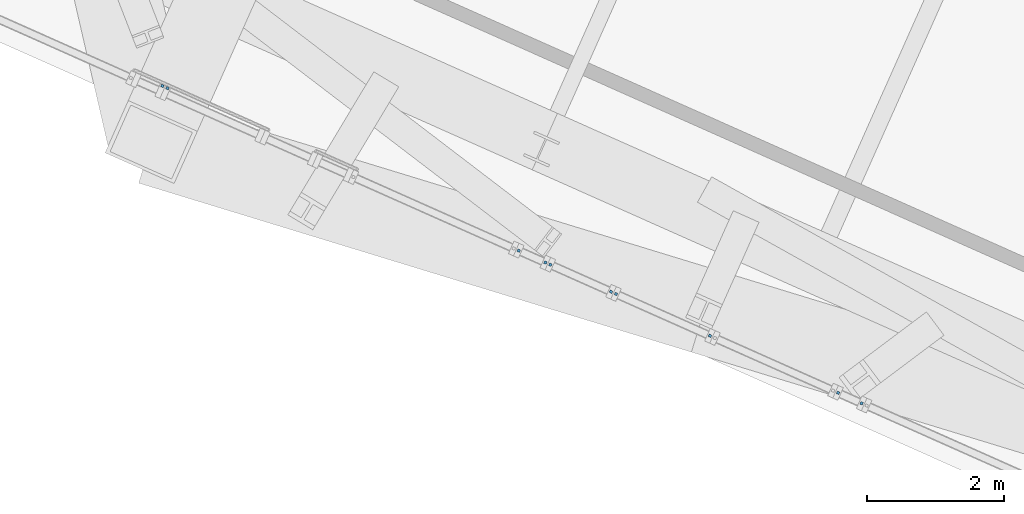
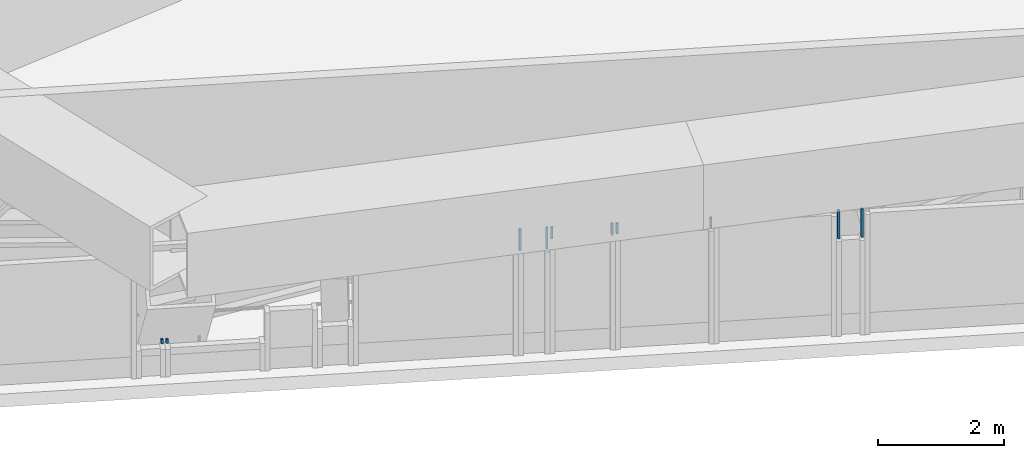
# One storey, part 22 of 30: 10 discrete accessories.
"""IFC4 building model written with IfcOpenShell, lengths in metres."""

from ifc_helpers import new_model, si_unit, direction, frame, origin, origin_2d, place, context, subcontext, project, spatial, rectangle, extrude, source, transform, mapped, material, element, save


model = new_model("IFC4")

# Units and contexts
model_context = context("Model", 3, precision=1e-05, world=origin(), true_north=direction((0.0, 1.0)))
body_context = subcontext(model_context, "Body", "Model", "MODEL_VIEW")
ifc_project = project(units=[si_unit("LENGTHUNIT", "METRE"), si_unit("AREAUNIT", "SQUARE_METRE"), si_unit("VOLUMEUNIT", "CUBIC_METRE"), si_unit("PLANEANGLEUNIT", "RADIAN"), si_unit("MASSUNIT", "GRAM", prefix="KILO")], contexts=[model_context])

# Site, building, storey
site_placement = place(None, origin())
site = spatial("IfcSite", under=ifc_project, at=site_placement, CompositionType="ELEMENT")
building_placement = place(site_placement, origin())
building = spatial("IfcBuilding", under=site, at=building_placement, Name="Triune Harvest Tower", CompositionType="ELEMENT")
storey_placement = place(building_placement, frame((0.0, 0.0, 94.5)))
storey = spatial("IfcBuildingStorey", under=building, at=storey_placement, Name="L23", CompositionType="ELEMENT", Elevation=94.5)

# Discrete accessories
ifc_material = material(Name="Steel ASTM A992 Gr 50", Category="steel")
shared_shape_1 = source(origin(), body_context, "Body", "SweptSolid", [
    extrude(rectangle(XDim=0.0400390625, YDim=0.0400390625, at=origin_2d()), origin(), (0.0, 0.0, 1.0), 0.219970703125),
])
for number, where, z_axis, x_axis, name in (
    (1, (-24.3251953125, -14.015625, 2.169921875), (0.0, 0.0, 1.0), (0.913554685969, -0.406715915282, 0.0), "Mullion end bracket B2-F5 L23.801 upper"),
    (2, (-23.44287109375, -14.408203125, 2.169921875), (0.0, 0.0, 1.0), (0.913554685969, -0.406715915282, 0.0), "Mullion end bracket B2-F5 L23.801 upper"),
):
    element("IfcDiscreteAccessory", number, at=place(storey_placement, frame(where, z_axis=z_axis, x_axis=x_axis)), inside=storey, material=ifc_material, Name=name, ObjectType="BRACKET", PredefinedType="USERDEFINED", context=body_context, shape_type="MappedRepresentation", body=[
        mapped(shared_shape_1, transform((0.0, 0.0, 0.0), scale=1.0)),
    ])
shared_shape_2 = source(origin(), body_context, "Body", "SweptSolid", [
    extrude(rectangle(XDim=0.0400390625, YDim=0.0400390625, at=origin_2d()), origin(), (0.0, 0.0, 1.0), 0.19970703125),
])
for number, where, z_axis, x_axis, name in (
    (3, (-23.369873046875, -14.44091796875, 2.190185546875), (0.0, 0.0, 1.0), (0.913541908161, -0.406744615248, 0.0), "Mullion end bracket B2-F5 L23.901 upper"),
    (4, (-22.002197265625, -15.0498046875, 2.190185546875), (0.0, 0.0, 1.0), (0.913541908161, -0.406744615248, 0.0), "Mullion end bracket B2-F5 L23.901 upper"),
):
    element("IfcDiscreteAccessory", number, at=place(storey_placement, frame(where, z_axis=z_axis, x_axis=x_axis)), inside=storey, material=ifc_material, Name=name, ObjectType="BRACKET", PredefinedType="USERDEFINED", context=body_context, shape_type="MappedRepresentation", body=[
        mapped(shared_shape_2, transform((0.0, 0.0, 0.0), scale=1.0)),
    ])
shared_shape_3 = source(origin(), body_context, "Body", "SweptSolid", [
    extrude(rectangle(XDim=0.0400390625, YDim=0.0400390625, at=origin_2d()), origin(), (0.0, 0.0, 1.0), 0.084228515625),
])
for number, where, z_axis, x_axis, name in (
    (5, (-29.972900390625, -11.413330078125, 0.5322265625), (0.0, 0.0, 1.0), (0.913608626774, -0.406594733222, 0.0), "Mullion end bracket B2-F5 L23.201 upper"),
    (6, (-29.899658203125, -11.446044921875, 0.5322265625), (0.0, 0.0, 1.0), (0.913541908161, -0.406744615248, 0.0), "Mullion end bracket B2-F5 L23.301 upper"),
):
    element("IfcDiscreteAccessory", number, at=place(storey_placement, frame(where, z_axis=z_axis, x_axis=x_axis)), inside=storey, material=ifc_material, Name=name, ObjectType="BRACKET", PredefinedType="USERDEFINED", context=body_context, shape_type="MappedRepresentation", body=[
        mapped(shared_shape_3, transform((0.0, 0.0, 0.0), scale=1.0)),
    ])
shared_shape_4 = source(origin(), body_context, "Body", "SweptSolid", [
    extrude(rectangle(XDim=0.0400390625, YDim=0.0400390625, at=origin_2d()), origin(), (0.0, 0.0, 1.0), 0.412841796875),
])
for number, where, z_axis, x_axis, name in (
    (7, (-24.78564453125, -13.810546875, 1.97705078125), (0.0, 0.0, 1.0), (0.913533389121, -0.406763748336, 0.0), "Mullion end bracket B2-F5 L23.701 upper"),
    (8, (-24.398193359375, -13.98291015625, 1.97705078125), (0.0, 0.0, 1.0), (0.913533389121, -0.406763748336, 0.0), "Mullion end bracket B2-F5 L23.701 upper"),
):
    element("IfcDiscreteAccessory", number, at=place(storey_placement, frame(where, z_axis=z_axis, x_axis=x_axis)), inside=storey, material=ifc_material, Name=name, ObjectType="BRACKET", PredefinedType="USERDEFINED", context=body_context, shape_type="MappedRepresentation", body=[
        mapped(shared_shape_4, transform((0.0, 0.0, 0.0), scale=1.0)),
    ])
shared_shape_5 = source(origin(), body_context, "Body", "SweptSolid", [
    extrude(rectangle(XDim=0.0400390625, YDim=0.0400390625, at=origin_2d()), origin(), (0.0, 0.0, 1.0), 0.5537109375),
])
for number, where, z_axis, x_axis, name in (
    (9, (-20.1376953125, -15.8798828125, 1.83642578125), (0.0, 0.0, 1.0), (0.91355752536, -0.406709537457, 0.0), "Mullion end bracket B2-F5 L23.1101 upper"),
    (10, (-19.794677734375, -16.03271484375, 1.83642578125), (0.0, 0.0, 1.0), (0.91355752536, -0.406709537457, 0.0), "Mullion end bracket B2-F5 L23.1101 upper"),
):
    element("IfcDiscreteAccessory", number, at=place(storey_placement, frame(where, z_axis=z_axis, x_axis=x_axis)), inside=storey, material=ifc_material, Name=name, ObjectType="BRACKET", PredefinedType="USERDEFINED", context=body_context, shape_type="MappedRepresentation", body=[
        mapped(shared_shape_5, transform((0.0, 0.0, 0.0), scale=1.0)),
    ])

save(model, "model.ifc")
